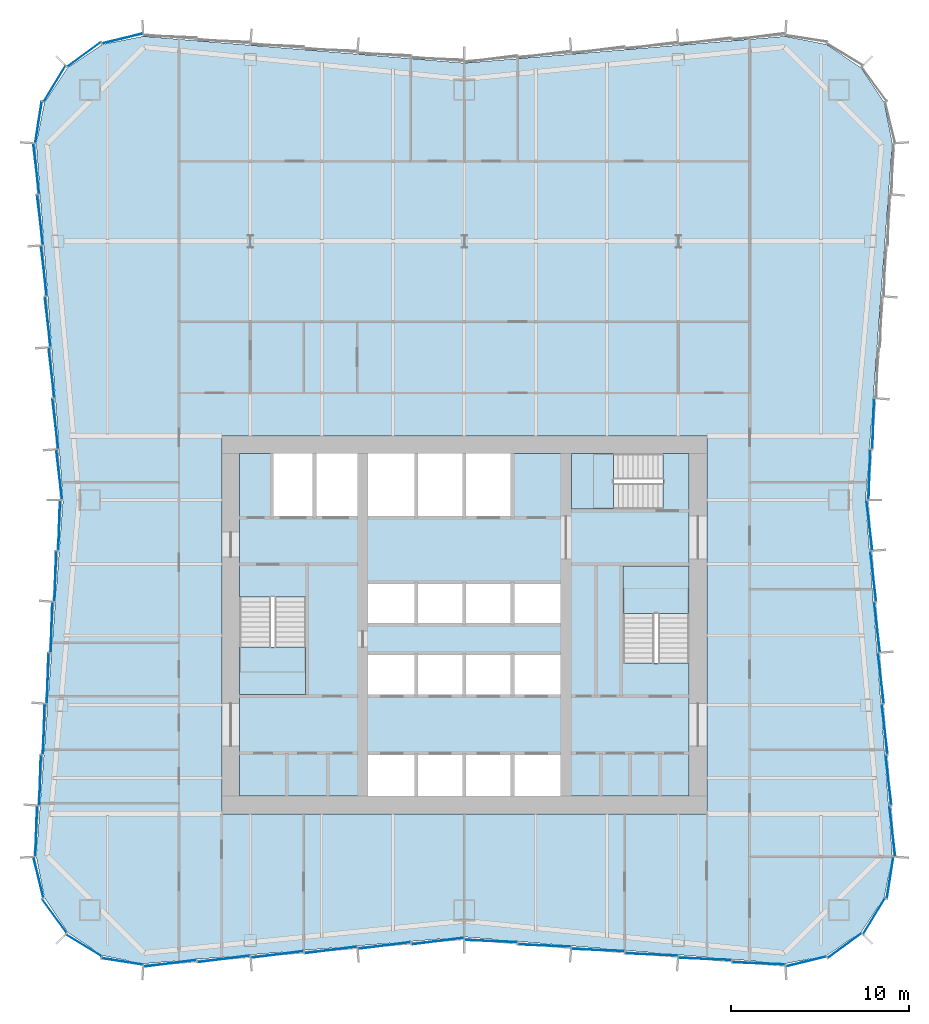
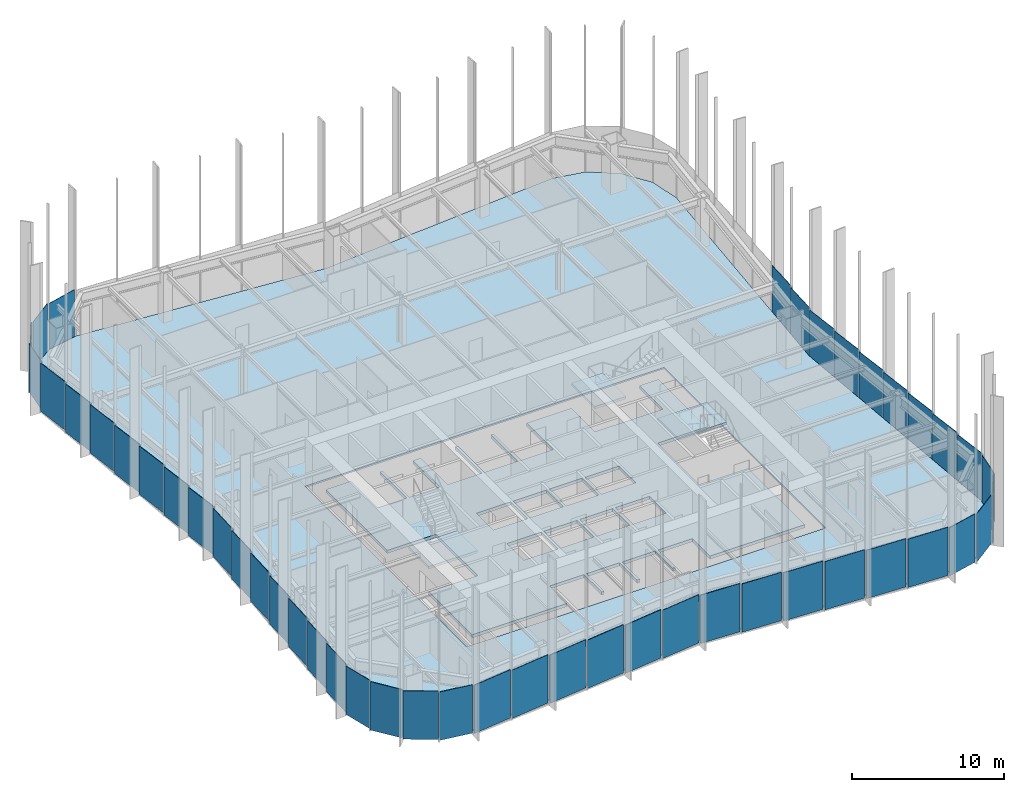
# One storey, part 8 of 13: 47 plates, 5 slabs, 9 elements without a shape of their own.
"""IFC4 building model written with IfcOpenShell, lengths in metres."""

from ifc_helpers import new_model, si_unit, direction, frame, origin, origin_2d, place, context, subcontext, project, spatial, polyline, rectangle, outline, extrude, material, layer, layer_set, type_object, element, aggregate, save


model = new_model("IFC4")

# Units and contexts
model_context = context("Model", 3, precision=1e-05, world=origin(), true_north=direction((0.0, 1.0)))
body_context = subcontext(model_context, "Body", "Model", "MODEL_VIEW")
ifc_project = project(units=[si_unit("LENGTHUNIT", "METRE"), si_unit("AREAUNIT", "SQUARE_METRE"), si_unit("VOLUMEUNIT", "CUBIC_METRE"), si_unit("PLANEANGLEUNIT", "RADIAN"), si_unit("MASSUNIT", "GRAM", prefix="KILO")], contexts=[model_context])

# Site, building, storey
site_placement = place(None, origin())
site = spatial("IfcSite", under=ifc_project, at=site_placement, CompositionType="ELEMENT")
building_placement = place(site_placement, origin())
building = spatial("IfcBuilding", under=site, at=building_placement, Name="Verdant Reach Tower", CompositionType="ELEMENT")
storey_placement = place(building_placement, frame((0.0, 0.0, 126.0)))
storey = spatial("IfcBuildingStorey", under=building, at=storey_placement, Name="L28", CompositionType="ELEMENT", Elevation=126.0)

# Stair, slab
ifc_material_1 = material(Name="Concrete C40/50", Category="concrete")
stair_type = type_object("IfcStairType", Name="CO-STAIR", PredefinedType="HALF_TURN_STAIR", material=ifc_material_1)
stair_1_placement = place(storey_placement, origin())
stair_1 = element("IfcStair", 1, at=stair_1_placement, inside=storey, type_object=stair_type, Name="L28 Exit stair 1", PredefinedType="HALF_TURN_STAIR")
ifc_layer_1 = layer(ifc_material_1, 0.199951171875)
ifc_layer_set_1 = layer_set([ifc_layer_1], Name="CO-STAIR-LANDING")
slab_type_1 = type_object("IfcSlabType", Name="CO-STAIR-LANDING", PredefinedType="LANDING", material=ifc_layer_set_1)
slab_1_placement = place(storey_placement, frame((0.0, 0.0, 1.800048828125)))
slab_1 = element("IfcSlab", 2, at=slab_1_placement, type_object=slab_type_1, Name="ST-1 landing 1", PredefinedType="LANDING", context=body_context, shape_type="SweptSolid", body=[
    extrude(outline(polyline([(-12.60009765625, 26.75), (-12.60009765625, 24.10009765625), (-8.89990234375, 24.10009765625), (-8.89990234375, 26.75), (-12.60009765625, 26.75)])), origin(), (0.0, 0.0, 1.0), 0.199951171875),
])
aggregate(stair_1, [slab_1])

stair_2_placement = place(storey_placement, origin())
stair_2 = element("IfcStair", 3, at=stair_2_placement, inside=storey, type_object=stair_type, Name="L28 Exit stair 2", PredefinedType="HALF_TURN_STAIR")
slab_2_placement = place(storey_placement, frame((0.0, 0.0, 1.800048828125)))
slab_2 = element("IfcSlab", 4, at=slab_2_placement, type_object=slab_type_1, Name="ST-2 landing 1", PredefinedType="LANDING", context=body_context, shape_type="SweptSolid", body=[
    extrude(outline(polyline([(12.60009765625, 28.64990234375), (12.60009765625, 31.300048828125), (8.89990234375, 31.300048828125), (8.89990234375, 28.64990234375), (12.60009765625, 28.64990234375)])), origin(), (0.0, 0.0, 1.0), 0.199951171875),
])
aggregate(stair_2, [slab_2])

stair_3_placement = place(storey_placement, origin())
stair_3 = element("IfcStair", 5, at=stair_3_placement, inside=storey, type_object=stair_type, Name="L28 Exit stair 3", PredefinedType="HALF_TURN_STAIR")
slab_3_placement = place(storey_placement, frame((0.0, 0.0, 1.800048828125)))
slab_3 = element("IfcSlab", 6, at=slab_3_placement, type_object=slab_type_1, Name="ST-3 landing 1", PredefinedType="LANDING", context=body_context, shape_type="SweptSolid", body=[
    extrude(outline(polyline([(8.35009765625, 37.60009765625), (6.0, 37.60009765625), (6.0, 34.5), (8.35009765625, 34.5), (8.35009765625, 37.60009765625)])), origin(), (0.0, 0.0, 1.0), 0.199951171875),
])
aggregate(stair_3, [slab_3])

# Curtain wall, plate
ifc_material_2 = material(Name="Anodised aluminium", Category="aluminium")
curtain_wall_type = type_object("IfcCurtainWallType", Name="EN-CW SYSTEM Z2", PredefinedType="NOTDEFINED", material=ifc_material_2)
curtain_wall_1_placement = place(storey_placement, origin())
curtain_wall_1 = element("IfcCurtainWall", 7, at=curtain_wall_1_placement, inside=storey, type_object=curtain_wall_type, Name="Curtain wall south-east corner, L28", PredefinedType="NOTDEFINED")
ifc_material_3 = material(Name="Tinted glass with champagne spandrel", Category="glass")
ifc_layer_2 = layer(ifc_material_3, 0.031982421875)
ifc_layer_set_2 = layer_set([ifc_layer_2], Name="EN-PANEL CHAMPAGNE")
plate_type_1 = type_object("IfcPlateType", Name="EN-PANEL CHAMPAGNE", PredefinedType="CURTAIN_PANEL", material=ifc_layer_set_2)
plate_1_placement = place(storey_placement, frame((23.87353515625, 13.828369140625, -0.22607421875), z_axis=(0.0, 0.0, 1.0), x_axis=(0.154281290631, 0.988026964896, 0.0)))
plate_1 = element("IfcPlate", 8, at=plate_1_placement, type_object=plate_type_1, Name="Glass panel south-east corner 4.1, L28", PredefinedType="CURTAIN_PANEL", context=body_context, shape_type="SweptSolid", body=[
    extrude(rectangle(XDim=2.316162109375, YDim=0.031982421875, at=origin_2d()), origin(), (0.0, 0.0, 1.0), 3.8759765625),
])

# Curtain wall, plates
curtain_wall_2_placement = place(storey_placement, origin())
curtain_wall_2 = element("IfcCurtainWall", 9, at=curtain_wall_2_placement, inside=storey, type_object=curtain_wall_type, Name="Curtain wall east, L28", PredefinedType="NOTDEFINED")
plate_2_placement = place(storey_placement, frame((23.570068359375, 22.15087890625, -0.22607421875), z_axis=(0.0, 0.0, 1.0), x_axis=(-0.116482717753, 0.993192718693, 0.0)))
plate_2 = element("IfcPlate", 10, at=plate_2_placement, type_object=plate_type_1, Name="Glass panel east face part 1 3.1, L28", PredefinedType="CURTAIN_PANEL", context=body_context, shape_type="SweptSolid", body=[
    extrude(rectangle(XDim=2.80517578125, YDim=0.031982421875, at=origin_2d()), origin(), (0.0, 0.0, 1.0), 3.8759765625),
])
plate_3_placement = place(storey_placement, frame((23.355712890625, 25.0078125, -0.22607421875), z_axis=(0.0, 0.0, 1.0), x_axis=(-0.116482717753, 0.993192718693, 0.0)))
plate_3 = element("IfcPlate", 11, at=plate_3_placement, type_object=plate_type_1, Name="Glass panel east face part 1 4.1, L28", PredefinedType="CURTAIN_PANEL", context=body_context, shape_type="SweptSolid", body=[
    extrude(rectangle(XDim=2.80517578125, YDim=0.031982421875, at=origin_2d()), origin(), (0.0, 0.0, 1.0), 3.8759765625),
])

curtain_wall_3_placement = place(storey_placement, origin())
curtain_wall_3 = element("IfcCurtainWall", 12, at=curtain_wall_3_placement, inside=storey, type_object=curtain_wall_type, Name="Curtain wall north-west corner, L28", PredefinedType="NOTDEFINED")
plate_4_placement = place(storey_placement, frame((-19.17138671875, 60.87353515625, -0.22607421875), z_axis=(0.0, 0.0, 1.0), x_axis=(-0.971657900775, -0.236391463174, 0.0)))
plate_4 = element("IfcPlate", 13, at=plate_4_placement, type_object=plate_type_1, Name="Glass panel north-west corner 1.1, L28", PredefinedType="CURTAIN_PANEL", context=body_context, shape_type="SweptSolid", body=[
    extrude(rectangle(XDim=2.31640625, YDim=0.031982421875, at=origin_2d()), origin(), (0.0, 0.0, 1.0), 3.8759765625),
])
plate_5_placement = place(storey_placement, frame((-21.3271484375, 59.9794921875, -0.22607421875), z_axis=(0.0, 0.0, 1.0), x_axis=(-0.807456760688, -0.589926757843, 0.0)))
plate_5 = element("IfcPlate", 14, at=plate_5_placement, type_object=plate_type_1, Name="Glass panel north-west corner 2.1, L28", PredefinedType="CURTAIN_PANEL", context=body_context, shape_type="SweptSolid", body=[
    extrude(rectangle(XDim=2.322509765625, YDim=0.031982421875, at=origin_2d()), origin(), (0.0, 0.0, 1.0), 3.8759765625),
])

curtain_wall_4_placement = place(storey_placement, origin())
curtain_wall_4 = element("IfcCurtainWall", 15, at=curtain_wall_4_placement, inside=storey, type_object=curtain_wall_type, Name="Curtain wall west, L28", PredefinedType="NOTDEFINED")
plate_6_placement = place(storey_placement, frame((-23.99853515625, 53.57080078125, -0.22607421875), z_axis=(0.0, 0.0, 1.0), x_axis=(0.116147092358, -0.993232023717, 0.0)))
plate_6 = element("IfcPlate", 16, at=plate_6_placement, type_object=plate_type_1, Name="Glass panel west face part 1 1.1, L28", PredefinedType="CURTAIN_PANEL", context=body_context, shape_type="SweptSolid", body=[
    extrude(rectangle(XDim=2.819580078125, YDim=0.031982421875, at=origin_2d()), origin(), (0.0, 0.0, 1.0), 3.8759765625),
])
plate_7_placement = place(storey_placement, frame((-22.712890625, 36.424560546875, -0.22607421875), z_axis=(0.0, 0.0, 1.0), x_axis=(0.116585911919, -0.993180610535, 0.0)))
plate_7 = element("IfcPlate", 17, at=plate_7_placement, type_object=plate_type_1, Name="Glass panel west face part 1 7.1, L28", PredefinedType="CURTAIN_PANEL", context=body_context, shape_type="SweptSolid", body=[
    extrude(rectangle(XDim=2.797119140625, YDim=0.031982421875, at=origin_2d()), origin(), (0.0, 0.0, 1.0), 3.8759765625),
])
plate_8_placement = place(storey_placement, frame((-22.712890625, 33.575439453125, -0.22607421875), z_axis=(0.0, 0.0, 1.0), x_axis=(-0.033069817188, -0.999453044015, 0.0)))
plate_8 = element("IfcPlate", 18, at=plate_8_placement, type_object=plate_type_1, Name="Glass panel west face part 2 1.1, L28", PredefinedType="CURTAIN_PANEL", context=body_context, shape_type="SweptSolid", body=[
    extrude(rectangle(XDim=2.797119140625, YDim=0.031982421875, at=origin_2d()), origin(), (0.0, 0.0, 1.0), 3.8759765625),
])
plate_9_placement = place(storey_placement, frame((-22.92724609375, 30.72216796875, -0.22607421875), z_axis=(0.0, 0.0, 1.0), x_axis=(-0.032965971753, -0.999456474643, 0.0)))
plate_9 = element("IfcPlate", 19, at=plate_9_placement, type_object=plate_type_1, Name="Glass panel west face part 2 2.1, L28", PredefinedType="CURTAIN_PANEL", context=body_context, shape_type="SweptSolid", body=[
    extrude(rectangle(XDim=2.80517578125, YDim=0.031982421875, at=origin_2d()), origin(), (0.0, 0.0, 1.0), 3.8759765625),
])

# Curtain wall, plate
curtain_wall_5_placement = place(storey_placement, origin())
curtain_wall_5 = element("IfcCurtainWall", 20, at=curtain_wall_5_placement, inside=storey, type_object=curtain_wall_type, Name="Curtain wall south-west corner, L28", PredefinedType="NOTDEFINED")
plate_10_placement = place(storey_placement, frame((-23.87353515625, 13.828369140625, -0.22607421875), z_axis=(0.0, 0.0, 1.0), x_axis=(0.236416170006, -0.971651889598, 0.0)))
plate_10 = element("IfcPlate", 21, at=plate_10_placement, type_object=plate_type_1, Name="Glass panel south-west corner 1.1, L28", PredefinedType="CURTAIN_PANEL", context=body_context, shape_type="SweptSolid", body=[
    extrude(rectangle(XDim=2.316162109375, YDim=0.031982421875, at=origin_2d()), origin(), (0.0, 0.0, 1.0), 3.8759765625),
])

# Curtain wall, plates
curtain_wall_6_placement = place(storey_placement, origin())
curtain_wall_6 = element("IfcCurtainWall", 22, at=curtain_wall_6_placement, inside=storey, type_object=curtain_wall_type, Name="Curtain wall south, L28", PredefinedType="NOTDEFINED")
plate_11_placement = place(storey_placement, frame((-7.4912109375, 9.769287109375, -0.22607421875), z_axis=(0.0, 0.0, 1.0), x_axis=(0.992194034542, 0.124703639961, 0.0)))
plate_11 = element("IfcPlate", 23, at=plate_11_placement, type_object=plate_type_1, Name="Glass panel south face part 1 4.1, L28", PredefinedType="CURTAIN_PANEL", context=body_context, shape_type="SweptSolid", body=[
    extrude(rectangle(XDim=2.950439453125, YDim=0.031982421875, at=origin_2d()), origin(), (0.0, 0.0, 1.0), 3.8759765625),
])
plate_12_placement = place(storey_placement, frame((-4.4912109375, 10.019287109375, -0.22607421875), z_axis=(0.0, 0.0, 1.0), x_axis=(0.992194034542, 0.124703639961, 0.0)))
plate_12 = element("IfcPlate", 24, at=plate_12_placement, type_object=plate_type_1, Name="Glass panel south face part 1 5.1, L28", PredefinedType="CURTAIN_PANEL", context=body_context, shape_type="SweptSolid", body=[
    extrude(rectangle(XDim=2.950439453125, YDim=0.031982421875, at=origin_2d()), origin(), (0.0, 0.0, 1.0), 3.8759765625),
])
plate_13_placement = place(storey_placement, frame((-1.49560546875, 10.269287109375, -0.22607421875), z_axis=(0.0, 0.0, 1.0), x_axis=(0.992178815188, 0.12482467181, 0.0)))
plate_13 = element("IfcPlate", 25, at=plate_13_placement, type_object=plate_type_1, Name="Glass panel south face part 1 6.1, L28", PredefinedType="CURTAIN_PANEL", context=body_context, shape_type="SweptSolid", body=[
    extrude(rectangle(XDim=2.941650390625, YDim=0.031982421875, at=origin_2d()), origin(), (0.0, 0.0, 1.0), 3.8759765625),
])
plate_14_placement = place(storey_placement, frame((16.49853515625, 9.019287109375, -0.22607421875), z_axis=(0.0, 0.0, 1.0), x_axis=(0.999163230224, -0.040900359019, 0.0)))
plate_14 = element("IfcPlate", 26, at=plate_14_placement, type_object=plate_type_1, Name="Glass panel south face part 2 6.1, L28", PredefinedType="CURTAIN_PANEL", context=body_context, shape_type="SweptSolid", body=[
    extrude(rectangle(XDim=2.965087890625, YDim=0.031982421875, at=origin_2d()), origin(), (0.0, 0.0, 1.0), 3.8759765625),
])

# Plate
ifc_material_4 = material(Name="Tinted glass with copper spandrel", Category="glass")
ifc_layer_3 = layer(ifc_material_4, 0.031982421875)
ifc_layer_set_3 = layer_set([ifc_layer_3], Name="EN-PANEL COPPER")
plate_type_2 = type_object("IfcPlateType", Name="EN-PANEL COPPER", PredefinedType="CURTAIN_PANEL", material=ifc_layer_set_3)
plate_15_placement = place(storey_placement, frame((19.17138671875, 9.12646484375, -0.22607421875), z_axis=(0.0, 0.0, 1.0), x_axis=(0.971657900775, 0.236391463174, 0.0)))
plate_15 = element("IfcPlate", 27, at=plate_15_placement, type_object=plate_type_2, Name="Glass panel south-east corner 1.1, L28", PredefinedType="CURTAIN_PANEL", context=body_context, shape_type="SweptSolid", body=[
    extrude(rectangle(XDim=2.31640625, YDim=0.031982421875, at=origin_2d()), origin(), (0.0, 0.0, 1.0), 3.8759765625),
])

plate_16_placement = place(storey_placement, frame((23.141357421875, 27.864990234375, -0.22607421875), z_axis=(0.0, 0.0, 1.0), x_axis=(-0.116482717753, 0.993192718693, 0.0)))
plate_16 = element("IfcPlate", 28, at=plate_16_placement, type_object=plate_type_2, Name="Glass panel east face part 1 5.1, L28", PredefinedType="CURTAIN_PANEL", context=body_context, shape_type="SweptSolid", body=[
    extrude(rectangle(XDim=2.80517578125, YDim=0.031982421875, at=origin_2d()), origin(), (0.0, 0.0, 1.0), 3.8759765625),
])

plate_17_placement = place(storey_placement, frame((22.92724609375, 30.72216796875, -0.22607421875), z_axis=(0.0, 0.0, 1.0), x_axis=(-0.116482717753, 0.993192718693, 0.0)))
plate_17 = element("IfcPlate", 29, at=plate_17_placement, type_object=plate_type_2, Name="Glass panel east face part 1 6.1, L28", PredefinedType="CURTAIN_PANEL", context=body_context, shape_type="SweptSolid", body=[
    extrude(rectangle(XDim=2.80517578125, YDim=0.031982421875, at=origin_2d()), origin(), (0.0, 0.0, 1.0), 3.8759765625),
])

plate_18_placement = place(storey_placement, frame((22.712890625, 33.575439453125, -0.22607421875), z_axis=(0.0, 0.0, 1.0), x_axis=(-0.116585911919, 0.993180610535, 0.0)))
plate_18 = element("IfcPlate", 30, at=plate_18_placement, type_object=plate_type_2, Name="Glass panel east face part 1 7.1, L28", PredefinedType="CURTAIN_PANEL", context=body_context, shape_type="SweptSolid", body=[
    extrude(rectangle(XDim=2.797119140625, YDim=0.031982421875, at=origin_2d()), origin(), (0.0, 0.0, 1.0), 3.8759765625),
])

plate_19_placement = place(storey_placement, frame((22.712890625, 36.424560546875, -0.22607421875), z_axis=(0.0, 0.0, 1.0), x_axis=(0.033069817188, 0.999453044015, 0.0)))
plate_19 = element("IfcPlate", 31, at=plate_19_placement, type_object=plate_type_2, Name="Glass panel east face part 2 1.1, L28", PredefinedType="CURTAIN_PANEL", context=body_context, shape_type="SweptSolid", body=[
    extrude(rectangle(XDim=2.797119140625, YDim=0.031982421875, at=origin_2d()), origin(), (0.0, 0.0, 1.0), 3.8759765625),
])

plate_20_placement = place(storey_placement, frame((-22.9794921875, 58.3271484375, -0.22607421875), z_axis=(0.0, 0.0, 1.0), x_axis=(-0.520291561353, -0.853988694998, 0.0)))
plate_20 = element("IfcPlate", 32, at=plate_20_placement, type_object=plate_type_2, Name="Glass panel north-west corner 3.1, L28", PredefinedType="CURTAIN_PANEL", context=body_context, shape_type="SweptSolid", body=[
    extrude(rectangle(XDim=2.322509765625, YDim=0.031982421875, at=origin_2d()), origin(), (0.0, 0.0, 1.0), 3.8759765625),
])

plate_21_placement = place(storey_placement, frame((-23.87353515625, 56.171630859375, -0.22607421875), z_axis=(0.0, 0.0, 1.0), x_axis=(-0.154281290631, -0.988026964896, 0.0)))
plate_21 = element("IfcPlate", 33, at=plate_21_placement, type_object=plate_type_2, Name="Glass panel north-west corner 4.1, L28", PredefinedType="CURTAIN_PANEL", context=body_context, shape_type="SweptSolid", body=[
    extrude(rectangle(XDim=2.316162109375, YDim=0.031982421875, at=origin_2d()), origin(), (0.0, 0.0, 1.0), 3.8759765625),
])

aggregate(curtain_wall_3, [plate_4, plate_5, plate_20, plate_21])

plate_22_placement = place(storey_placement, frame((-23.7841796875, 50.706298828125, -0.22607421875), z_axis=(0.0, 0.0, 1.0), x_axis=(0.116482717753, -0.993192718693, 0.0)))
plate_22 = element("IfcPlate", 34, at=plate_22_placement, type_object=plate_type_2, Name="Glass panel west face part 1 2.1, L28", PredefinedType="CURTAIN_PANEL", context=body_context, shape_type="SweptSolid", body=[
    extrude(rectangle(XDim=2.80517578125, YDim=0.031982421875, at=origin_2d()), origin(), (0.0, 0.0, 1.0), 3.8759765625),
])

plate_23_placement = place(storey_placement, frame((-23.570068359375, 47.84912109375, -0.22607421875), z_axis=(0.0, 0.0, 1.0), x_axis=(0.116482717753, -0.993192718693, 0.0)))
plate_23 = element("IfcPlate", 35, at=plate_23_placement, type_object=plate_type_2, Name="Glass panel west face part 1 3.1, L28", PredefinedType="CURTAIN_PANEL", context=body_context, shape_type="SweptSolid", body=[
    extrude(rectangle(XDim=2.80517578125, YDim=0.031982421875, at=origin_2d()), origin(), (0.0, 0.0, 1.0), 3.8759765625),
])

plate_24_placement = place(storey_placement, frame((-23.141357421875, 27.864990234375, -0.22607421875), z_axis=(0.0, 0.0, 1.0), x_axis=(-0.032965971753, -0.999456474643, 0.0)))
plate_24 = element("IfcPlate", 36, at=plate_24_placement, type_object=plate_type_2, Name="Glass panel west face part 2 3.1, L28", PredefinedType="CURTAIN_PANEL", context=body_context, shape_type="SweptSolid", body=[
    extrude(rectangle(XDim=2.80517578125, YDim=0.031982421875, at=origin_2d()), origin(), (0.0, 0.0, 1.0), 3.8759765625),
])

plate_25_placement = place(storey_placement, frame((-23.355712890625, 25.0078125, -0.22607421875), z_axis=(0.0, 0.0, 1.0), x_axis=(-0.032965971753, -0.999456474643, 0.0)))
plate_25 = element("IfcPlate", 37, at=plate_25_placement, type_object=plate_type_2, Name="Glass panel west face part 2 4.1, L28", PredefinedType="CURTAIN_PANEL", context=body_context, shape_type="SweptSolid", body=[
    extrude(rectangle(XDim=2.80517578125, YDim=0.031982421875, at=origin_2d()), origin(), (0.0, 0.0, 1.0), 3.8759765625),
])

plate_26_placement = place(storey_placement, frame((-23.570068359375, 22.15087890625, -0.22607421875), z_axis=(0.0, 0.0, 1.0), x_axis=(-0.032965971753, -0.999456474643, 0.0)))
plate_26 = element("IfcPlate", 38, at=plate_26_placement, type_object=plate_type_2, Name="Glass panel west face part 2 5.1, L28", PredefinedType="CURTAIN_PANEL", context=body_context, shape_type="SweptSolid", body=[
    extrude(rectangle(XDim=2.80517578125, YDim=0.031982421875, at=origin_2d()), origin(), (0.0, 0.0, 1.0), 3.8759765625),
])

plate_27_placement = place(storey_placement, frame((-22.9794921875, 11.6728515625, -0.22607421875), z_axis=(0.0, 0.0, 1.0), x_axis=(0.589926757843, -0.807456760688, 0.0)))
plate_27 = element("IfcPlate", 39, at=plate_27_placement, type_object=plate_type_2, Name="Glass panel south-west corner 2.1, L28", PredefinedType="CURTAIN_PANEL", context=body_context, shape_type="SweptSolid", body=[
    extrude(rectangle(XDim=2.322509765625, YDim=0.031982421875, at=origin_2d()), origin(), (0.0, 0.0, 1.0), 3.8759765625),
])

plate_28_placement = place(storey_placement, frame((-21.3271484375, 10.0205078125, -0.22607421875), z_axis=(0.0, 0.0, 1.0), x_axis=(0.853988694998, -0.520291561353, 0.0)))
plate_28 = element("IfcPlate", 40, at=plate_28_placement, type_object=plate_type_2, Name="Glass panel south-west corner 3.1, L28", PredefinedType="CURTAIN_PANEL", context=body_context, shape_type="SweptSolid", body=[
    extrude(rectangle(XDim=2.322509765625, YDim=0.031982421875, at=origin_2d()), origin(), (0.0, 0.0, 1.0), 3.8759765625),
])

plate_29_placement = place(storey_placement, frame((-16.49853515625, 9.019287109375, -0.22607421875), z_axis=(0.0, 0.0, 1.0), x_axis=(0.992236570309, 0.124364739946, 0.0)))
plate_29 = element("IfcPlate", 41, at=plate_29_placement, type_object=plate_type_2, Name="Glass panel south face part 1 1.1, L28", PredefinedType="CURTAIN_PANEL", context=body_context, shape_type="SweptSolid", body=[
    extrude(rectangle(XDim=2.965087890625, YDim=0.031982421875, at=origin_2d()), origin(), (0.0, 0.0, 1.0), 3.8759765625),
])

plate_30_placement = place(storey_placement, frame((1.49560546875, 10.269287109375, -0.22607421875), z_axis=(0.0, 0.0, 1.0), x_axis=(0.999144163765, -0.041363510662, 0.0)))
plate_30 = element("IfcPlate", 42, at=plate_30_placement, type_object=plate_type_2, Name="Glass panel south face part 2 1.1, L28", PredefinedType="CURTAIN_PANEL", context=body_context, shape_type="SweptSolid", body=[
    extrude(rectangle(XDim=2.941650390625, YDim=0.031982421875, at=origin_2d()), origin(), (0.0, 0.0, 1.0), 3.8759765625),
])

plate_31_placement = place(storey_placement, frame((4.4912109375, 10.019287109375, -0.22607421875), z_axis=(0.0, 0.0, 1.0), x_axis=(0.999149202059, -0.041241629766, 0.0)))
plate_31 = element("IfcPlate", 43, at=plate_31_placement, type_object=plate_type_2, Name="Glass panel south face part 2 2.1, L28", PredefinedType="CURTAIN_PANEL", context=body_context, shape_type="SweptSolid", body=[
    extrude(rectangle(XDim=2.950439453125, YDim=0.031982421875, at=origin_2d()), origin(), (0.0, 0.0, 1.0), 3.8759765625),
])

ifc_material_5 = material(Name="Tinted glass with dark bronze spandrel", Category="glass")
ifc_layer_4 = layer(ifc_material_5, 0.031982421875)
ifc_layer_set_4 = layer_set([ifc_layer_4], Name="EN-PANEL DARK")
plate_type_3 = type_object("IfcPlateType", Name="EN-PANEL DARK", PredefinedType="CURTAIN_PANEL", material=ifc_layer_set_4)
plate_32_placement = place(storey_placement, frame((21.3271484375, 10.0205078125, -0.22607421875), z_axis=(0.0, 0.0, 1.0), x_axis=(0.807456760688, 0.589926757843, 0.0)))
plate_32 = element("IfcPlate", 44, at=plate_32_placement, type_object=plate_type_3, Name="Glass panel south-east corner 2.1, L28", PredefinedType="CURTAIN_PANEL", context=body_context, shape_type="SweptSolid", body=[
    extrude(rectangle(XDim=2.322509765625, YDim=0.031982421875, at=origin_2d()), origin(), (0.0, 0.0, 1.0), 3.8759765625),
])

plate_33_placement = place(storey_placement, frame((22.9794921875, 11.6728515625, -0.22607421875), z_axis=(0.0, 0.0, 1.0), x_axis=(0.520291561353, 0.853988694998, 0.0)))
plate_33 = element("IfcPlate", 45, at=plate_33_placement, type_object=plate_type_3, Name="Glass panel south-east corner 3.1, L28", PredefinedType="CURTAIN_PANEL", context=body_context, shape_type="SweptSolid", body=[
    extrude(rectangle(XDim=2.322509765625, YDim=0.031982421875, at=origin_2d()), origin(), (0.0, 0.0, 1.0), 3.8759765625),
])

aggregate(curtain_wall_1, [plate_15, plate_32, plate_33, plate_1])

plate_34_placement = place(storey_placement, frame((23.99853515625, 16.42919921875, -0.22607421875), z_axis=(0.0, 0.0, 1.0), x_axis=(-0.116147092358, 0.993232023717, 0.0)))
plate_34 = element("IfcPlate", 46, at=plate_34_placement, type_object=plate_type_3, Name="Glass panel east face part 1 1.1, L28", PredefinedType="CURTAIN_PANEL", context=body_context, shape_type="SweptSolid", body=[
    extrude(rectangle(XDim=2.819580078125, YDim=0.031982421875, at=origin_2d()), origin(), (0.0, 0.0, 1.0), 3.8759765625),
])

plate_35_placement = place(storey_placement, frame((23.7841796875, 19.293701171875, -0.22607421875), z_axis=(0.0, 0.0, 1.0), x_axis=(-0.116482717753, 0.993192718693, 0.0)))
plate_35 = element("IfcPlate", 47, at=plate_35_placement, type_object=plate_type_3, Name="Glass panel east face part 1 2.1, L28", PredefinedType="CURTAIN_PANEL", context=body_context, shape_type="SweptSolid", body=[
    extrude(rectangle(XDim=2.80517578125, YDim=0.031982421875, at=origin_2d()), origin(), (0.0, 0.0, 1.0), 3.8759765625),
])

plate_36_placement = place(storey_placement, frame((22.92724609375, 39.27783203125, -0.22607421875), z_axis=(0.0, 0.0, 1.0), x_axis=(0.032965971753, 0.999456474643, 0.0)))
plate_36 = element("IfcPlate", 48, at=plate_36_placement, type_object=plate_type_3, Name="Glass panel east face part 2 2.1, L28", PredefinedType="CURTAIN_PANEL", context=body_context, shape_type="SweptSolid", body=[
    extrude(rectangle(XDim=2.80517578125, YDim=0.031982421875, at=origin_2d()), origin(), (0.0, 0.0, 1.0), 3.8759765625),
])

aggregate(curtain_wall_2, [plate_34, plate_35, plate_2, plate_3, plate_16, plate_17, plate_18, plate_19, plate_36])

plate_37_placement = place(storey_placement, frame((-23.355712890625, 44.9921875, -0.22607421875), z_axis=(0.0, 0.0, 1.0), x_axis=(0.116482717753, -0.993192718693, 0.0)))
plate_37 = element("IfcPlate", 49, at=plate_37_placement, type_object=plate_type_3, Name="Glass panel west face part 1 4.1, L28", PredefinedType="CURTAIN_PANEL", context=body_context, shape_type="SweptSolid", body=[
    extrude(rectangle(XDim=2.80517578125, YDim=0.031982421875, at=origin_2d()), origin(), (0.0, 0.0, 1.0), 3.8759765625),
])

plate_38_placement = place(storey_placement, frame((-23.141357421875, 42.135009765625, -0.22607421875), z_axis=(0.0, 0.0, 1.0), x_axis=(0.116482717753, -0.993192718693, 0.0)))
plate_38 = element("IfcPlate", 50, at=plate_38_placement, type_object=plate_type_3, Name="Glass panel west face part 1 5.1, L28", PredefinedType="CURTAIN_PANEL", context=body_context, shape_type="SweptSolid", body=[
    extrude(rectangle(XDim=2.80517578125, YDim=0.031982421875, at=origin_2d()), origin(), (0.0, 0.0, 1.0), 3.8759765625),
])

plate_39_placement = place(storey_placement, frame((-22.92724609375, 39.27783203125, -0.22607421875), z_axis=(0.0, 0.0, 1.0), x_axis=(0.116482717753, -0.993192718693, 0.0)))
plate_39 = element("IfcPlate", 51, at=plate_39_placement, type_object=plate_type_3, Name="Glass panel west face part 1 6.1, L28", PredefinedType="CURTAIN_PANEL", context=body_context, shape_type="SweptSolid", body=[
    extrude(rectangle(XDim=2.80517578125, YDim=0.031982421875, at=origin_2d()), origin(), (0.0, 0.0, 1.0), 3.8759765625),
])

plate_40_placement = place(storey_placement, frame((-23.7841796875, 19.293701171875, -0.22607421875), z_axis=(0.0, 0.0, 1.0), x_axis=(-0.032965971753, -0.999456474643, 0.0)))
plate_40 = element("IfcPlate", 52, at=plate_40_placement, type_object=plate_type_3, Name="Glass panel west face part 2 6.1, L28", PredefinedType="CURTAIN_PANEL", context=body_context, shape_type="SweptSolid", body=[
    extrude(rectangle(XDim=2.80517578125, YDim=0.031982421875, at=origin_2d()), origin(), (0.0, 0.0, 1.0), 3.8759765625),
])

plate_41_placement = place(storey_placement, frame((-23.99853515625, 16.42919921875, -0.22607421875), z_axis=(0.0, 0.0, 1.0), x_axis=(-0.032628234484, -0.99946755741, 0.0)))
plate_41 = element("IfcPlate", 53, at=plate_41_placement, type_object=plate_type_3, Name="Glass panel west face part 2 7.1, L28", PredefinedType="CURTAIN_PANEL", context=body_context, shape_type="SweptSolid", body=[
    extrude(rectangle(XDim=2.819580078125, YDim=0.031982421875, at=origin_2d()), origin(), (0.0, 0.0, 1.0), 3.8759765625),
])

aggregate(curtain_wall_4, [plate_6, plate_22, plate_23, plate_37, plate_38, plate_39, plate_7, plate_8, plate_9, plate_24, plate_25, plate_26, plate_40, plate_41])

plate_42_placement = place(storey_placement, frame((-19.17138671875, 9.12646484375, -0.22607421875), z_axis=(0.0, 0.0, 1.0), x_axis=(0.988030887576, -0.154256167447, 0.0)))
plate_42 = element("IfcPlate", 54, at=plate_42_placement, type_object=plate_type_3, Name="Glass panel south-west corner 4.1, L28", PredefinedType="CURTAIN_PANEL", context=body_context, shape_type="SweptSolid", body=[
    extrude(rectangle(XDim=2.31640625, YDim=0.031982421875, at=origin_2d()), origin(), (0.0, 0.0, 1.0), 3.8759765625),
])

aggregate(curtain_wall_5, [plate_10, plate_27, plate_28, plate_42])

plate_43_placement = place(storey_placement, frame((-13.4912109375, 9.269287109375, -0.22607421875), z_axis=(0.0, 0.0, 1.0), x_axis=(0.992194034542, 0.124703639961, 0.0)))
plate_43 = element("IfcPlate", 55, at=plate_43_placement, type_object=plate_type_3, Name="Glass panel south face part 1 2.1, L28", PredefinedType="CURTAIN_PANEL", context=body_context, shape_type="SweptSolid", body=[
    extrude(rectangle(XDim=2.950439453125, YDim=0.031982421875, at=origin_2d()), origin(), (0.0, 0.0, 1.0), 3.8759765625),
])

plate_44_placement = place(storey_placement, frame((-10.4912109375, 9.519287109375, -0.22607421875), z_axis=(0.0, 0.0, 1.0), x_axis=(0.992194034542, 0.124703639961, 0.0)))
plate_44 = element("IfcPlate", 56, at=plate_44_placement, type_object=plate_type_3, Name="Glass panel south face part 1 3.1, L28", PredefinedType="CURTAIN_PANEL", context=body_context, shape_type="SweptSolid", body=[
    extrude(rectangle(XDim=2.950439453125, YDim=0.031982421875, at=origin_2d()), origin(), (0.0, 0.0, 1.0), 3.8759765625),
])

plate_45_placement = place(storey_placement, frame((7.4912109375, 9.769287109375, -0.22607421875), z_axis=(0.0, 0.0, 1.0), x_axis=(0.999149202059, -0.041241629766, 0.0)))
plate_45 = element("IfcPlate", 57, at=plate_45_placement, type_object=plate_type_3, Name="Glass panel south face part 2 3.1, L28", PredefinedType="CURTAIN_PANEL", context=body_context, shape_type="SweptSolid", body=[
    extrude(rectangle(XDim=2.950439453125, YDim=0.031982421875, at=origin_2d()), origin(), (0.0, 0.0, 1.0), 3.8759765625),
])

plate_46_placement = place(storey_placement, frame((10.4912109375, 9.519287109375, -0.22607421875), z_axis=(0.0, 0.0, 1.0), x_axis=(0.999149202059, -0.041241629766, 0.0)))
plate_46 = element("IfcPlate", 58, at=plate_46_placement, type_object=plate_type_3, Name="Glass panel south face part 2 4.1, L28", PredefinedType="CURTAIN_PANEL", context=body_context, shape_type="SweptSolid", body=[
    extrude(rectangle(XDim=2.950439453125, YDim=0.031982421875, at=origin_2d()), origin(), (0.0, 0.0, 1.0), 3.8759765625),
])

plate_47_placement = place(storey_placement, frame((13.4912109375, 9.269287109375, -0.22607421875), z_axis=(0.0, 0.0, 1.0), x_axis=(0.999149202059, -0.041241629766, 0.0)))
plate_47 = element("IfcPlate", 59, at=plate_47_placement, type_object=plate_type_3, Name="Glass panel south face part 2 5.1, L28", PredefinedType="CURTAIN_PANEL", context=body_context, shape_type="SweptSolid", body=[
    extrude(rectangle(XDim=2.950439453125, YDim=0.031982421875, at=origin_2d()), origin(), (0.0, 0.0, 1.0), 3.8759765625),
])

aggregate(curtain_wall_6, [plate_29, plate_43, plate_44, plate_11, plate_12, plate_13, plate_30, plate_31, plate_45, plate_46, plate_47, plate_14])

# Slabs
ifc_material_6 = material(Name="Concrete C35/45", Category="concrete")
ifc_layer_5 = layer(ifc_material_6, 0.1298828125)
ifc_layer_set_5 = layer_set([ifc_layer_5], Name="ST-SLAB-130")
slab_type_2 = type_object("IfcSlabType", Name="ST-SLAB-130", PredefinedType="FLOOR", material=ifc_layer_set_5)
slab_4_placement = place(storey_placement, frame((0.0, 0.0, -0.1298828125)))
element("IfcSlab", 60, at=slab_4_placement, inside=storey, type_object=slab_type_2, Name="Floor slab L28", PredefinedType="FLOOR", context=body_context, shape_type="SweptSolid", body=[
    extrude(outline(polyline([(0.0, 10.5), (-18.0, 9.0), (-20.296142578125, 9.456787109375), (-22.24267578125, 10.75732421875), (-23.543212890625, 12.703857421875), (-24.0, 15.0), (-22.5, 35.0), (-24.0, 55.0), (-23.543212890625, 57.296142578125), (-22.24267578125, 59.24267578125), (-20.296142578125, 60.543212890625), (-18.0, 61.0), (0.0, 59.5), (18.0, 61.0), (20.296142578125, 60.543212890625), (22.24267578125, 59.24267578125), (23.543212890625, 57.296142578125), (24.0, 55.0), (22.5, 35.0), (24.0, 15.0), (23.543212890625, 12.703857421875), (22.24267578125, 10.75732421875), (20.296142578125, 9.456787109375), (18.0, 9.0), (0.0, 10.5)]), holes=[polyline([(13.60009765625, 38.60009765625), (-13.60009765625, 38.60009765625), (-13.60009765625, 17.39990234375), (13.60009765625, 17.39990234375), (13.60009765625, 38.60009765625)])]), origin(), (0.0, 0.0, 1.0), 0.1298828125),
])
ifc_layer_6 = layer(ifc_material_6, 0.25)
ifc_layer_set_6 = layer_set([ifc_layer_6], Name="ST-SLAB-250")
slab_type_3 = type_object("IfcSlabType", Name="ST-SLAB-250", PredefinedType="FLOOR", material=ifc_layer_set_6)
slab_5_placement = place(storey_placement, frame((0.0, 0.0, -0.25)))
element("IfcSlab", 61, at=slab_5_placement, inside=storey, type_object=slab_type_3, Name="Core floor slab L28", PredefinedType="FLOOR", context=body_context, shape_type="SweptSolid", body=[
    extrude(outline(polyline([(12.60009765625, 18.39990234375), (5.39990234375, 18.39990234375), (5.39990234375, 20.699951171875), (2.800048828125, 20.699951171875), (2.800048828125, 18.39990234375), (2.60009765625, 18.39990234375), (2.60009765625, 20.699951171875), (0.10009765625, 20.699951171875), (0.10009765625, 18.39990234375), (-0.10009765625, 18.39990234375), (-0.10009765625, 20.699951171875), (-2.60009765625, 20.699951171875), (-2.60009765625, 18.39990234375), (-2.800048828125, 18.39990234375), (-2.800048828125, 20.699951171875), (-5.39990234375, 20.699951171875), (-5.39990234375, 18.39990234375), (-12.60009765625, 18.39990234375), (-12.60009765625, 24.10009765625), (-8.89990234375, 24.10009765625), (-8.89990234375, 29.548095703125), (-12.60009765625, 29.548095703125), (-12.60009765625, 37.60009765625), (-10.699951171875, 37.60009765625), (-10.699951171875, 34.10009765625), (-8.5, 34.10009765625), (-8.5, 37.60009765625), (-8.300048828125, 37.60009765625), (-8.300048828125, 34.10009765625), (-6.0, 34.10009765625), (-6.0, 37.60009765625), (-5.39990234375, 37.60009765625), (-5.39990234375, 34.10009765625), (-2.800048828125, 34.10009765625), (-2.800048828125, 37.60009765625), (-2.60009765625, 37.60009765625), (-2.60009765625, 34.10009765625), (-0.10009765625, 34.10009765625), (-0.10009765625, 37.60009765625), (0.10009765625, 37.60009765625), (0.10009765625, 34.10009765625), (2.60009765625, 34.10009765625), (2.60009765625, 37.60009765625), (6.0, 37.60009765625), (6.0, 34.5), (11.14794921875, 34.5), (11.14794921875, 37.60009765625), (12.60009765625, 37.60009765625), (12.60009765625, 31.300048828125), (8.89990234375, 31.300048828125), (8.89990234375, 25.85205078125), (12.60009765625, 25.85205078125), (12.60009765625, 18.39990234375)]), holes=[polyline([(-2.800048828125, 24.10009765625), (-2.800048828125, 26.300048828125), (-5.39990234375, 26.300048828125), (-5.39990234375, 24.10009765625), (-2.800048828125, 24.10009765625)]), polyline([(-2.60009765625, 24.10009765625), (-0.10009765625, 24.10009765625), (-0.10009765625, 26.300048828125), (-2.60009765625, 26.300048828125), (-2.60009765625, 24.10009765625)]), polyline([(-2.800048828125, 28.10009765625), (-2.800048828125, 30.300048828125), (-5.39990234375, 30.300048828125), (-5.39990234375, 28.10009765625), (-2.800048828125, 28.10009765625)]), polyline([(-0.10009765625, 28.10009765625), (-0.10009765625, 30.300048828125), (-2.60009765625, 30.300048828125), (-2.60009765625, 28.10009765625), (-0.10009765625, 28.10009765625)]), polyline([(2.60009765625, 24.10009765625), (2.60009765625, 26.300048828125), (0.10009765625, 26.300048828125), (0.10009765625, 24.10009765625), (2.60009765625, 24.10009765625)]), polyline([(2.800048828125, 24.10009765625), (5.39990234375, 24.10009765625), (5.39990234375, 26.300048828125), (2.800048828125, 26.300048828125), (2.800048828125, 24.10009765625)]), polyline([(2.60009765625, 28.10009765625), (2.60009765625, 30.300048828125), (0.10009765625, 30.300048828125), (0.10009765625, 28.10009765625), (2.60009765625, 28.10009765625)]), polyline([(5.39990234375, 28.10009765625), (5.39990234375, 30.300048828125), (2.800048828125, 30.300048828125), (2.800048828125, 28.10009765625), (5.39990234375, 28.10009765625)])]), origin(), (0.0, 0.0, 1.0), 0.25),
])

save(model, "model.ifc")
